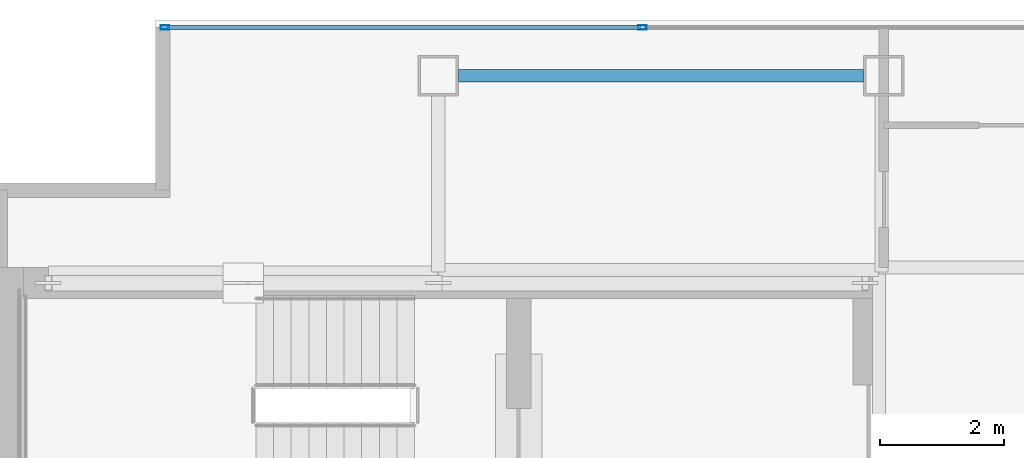
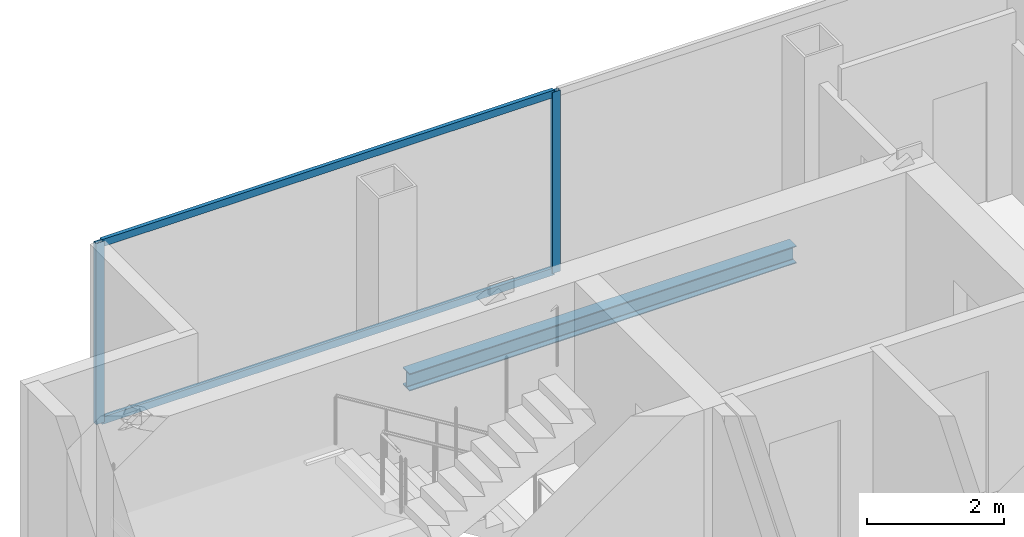
# One storey, part 17 of 23: 4 members, 1 beam, 1 element without a shape of its own.
"""IFC4 building model written with IfcOpenShell, lengths in metres."""

from ifc_helpers import new_model, si_unit, direction, frame, origin, origin_2d, place, context, subcontext, project, spatial, hollow_rectangle, i_section, extrude, material, material_profile, profile_set, type_object, element, aggregate, save


model = new_model("IFC4")

# Units and contexts
model_context = context("Model", 3, precision=1e-05, world=origin(), true_north=direction((0.0, 1.0)))
body_context = subcontext(model_context, "Body", "Model", "MODEL_VIEW")
ifc_project = project(units=[si_unit("LENGTHUNIT", "METRE"), si_unit("AREAUNIT", "SQUARE_METRE"), si_unit("VOLUMEUNIT", "CUBIC_METRE"), si_unit("PLANEANGLEUNIT", "RADIAN"), si_unit("MASSUNIT", "GRAM", prefix="KILO")], contexts=[model_context])

# Site, building, storey
site_placement = place(None, origin())
site = spatial("IfcSite", under=ifc_project, at=site_placement, CompositionType="ELEMENT")
building_placement = place(site_placement, origin())
building = spatial("IfcBuilding", under=site, at=building_placement, Name="Cobrela Telecom Tower", CompositionType="ELEMENT")
storey_placement = place(building_placement, frame((0.0, 0.0, 272.64990234375)))
storey = spatial("IfcBuildingStorey", under=building, at=storey_placement, Name="L71", CompositionType="ELEMENT", Elevation=272.64990234375)

# Beam
ifc_material_1 = material(Name="Steel ASTM A992 Grade 50", Category="steel")
ifc_material_profile_1 = material_profile(ifc_material_1, i_section(OverallWidth=0.205078125, OverallDepth=0.31005859375, WebThickness=0.009521484375, FlangeThickness=0.016357421875, FilletRadius=0.010986328125, at=origin_2d()), Name="W12X50")
ifc_profile_set_1 = profile_set([ifc_material_profile_1], Name="Steel ASTM A992 Grade 50")
beam_type = type_object("IfcBeamType", Name="BM-SPAND-07", PredefinedType="SPANDREL", material=ifc_profile_set_1)
beam_placement = place(storey_placement, frame((7.530029296875, 39.10009765625, -0.414794921875), z_axis=(1.0, 0.0, 0.0), x_axis=(0.0, 1.0, 0.0)))
element("IfcBeam", 1, at=beam_placement, inside=storey, type_object=beam_type, Name="L71 Perimeter Spandrel X19", PredefinedType="SPANDREL", context=body_context, shape_type="SweptSolid", body=[
    extrude(i_section(OverallWidth=0.205078125, OverallDepth=0.31005859375, WebThickness=0.009521484375, FlangeThickness=0.016357421875, FilletRadius=0.010986328125, at=origin_2d()), origin(), (0.0, 0.0, 1.0), 6.5400390625),
])

# Curtain wall, members
ifc_material_2 = material(Name="Anodized Bronze Aluminium 6063-T6", Category="aluminium")
curtain_wall_type = type_object("IfcCurtainWallType", Name="CW-SYS-OFF-HI", PredefinedType="USERDEFINED", material=ifc_material_2)
curtain_wall_placement = place(storey_placement, origin())
curtain_wall = element("IfcCurtainWall", 2, at=curtain_wall_placement, inside=storey, type_object=curtain_wall_type, Name="L71 Unitised Bronze Curtain Wall 05", ObjectType="UNITISED CURTAIN WALL", PredefinedType="USERDEFINED")
ifc_material_profile_2 = material_profile(ifc_material_2, hollow_rectangle(XDim=0.070068359375, YDim=0.139892578125, WallThickness=0.00390625, at=origin_2d()), Name="ALU 70x140x4")
ifc_profile_set_2 = profile_set([ifc_material_profile_2], Name="Anodized Bronze Aluminium 6063-T6")
member_type_1 = type_object("IfcMemberType", Name="CW-SYS-OFF-HI-MUL", PredefinedType="MULLION", material=ifc_profile_set_2)
member_1_placement = place(storey_placement, frame((2.784912109375, 39.8798828125, 0.0), z_axis=(0.0, 0.0, 1.0), x_axis=(0.0, 1.0, 0.0)))
member_1 = element("IfcMember", 3, at=member_1_placement, type_object=member_type_1, Name="CW-OFF-HI mullion 1", PredefinedType="MULLION", context=body_context, shape_type="SweptSolid", body=[
    extrude(hollow_rectangle(XDim=0.070068359375, YDim=0.139892578125, WallThickness=0.00390625, at=origin_2d()), origin(), (0.0, 0.0, 1.0), 3.239990234375),
])
member_2_placement = place(storey_placement, frame((10.5, 39.8798828125, 0.0), z_axis=(0.0, 0.0, 1.0), x_axis=(0.0, 1.0, 0.0)))
member_2 = element("IfcMember", 4, at=member_2_placement, type_object=member_type_1, Name="CW-OFF-HI mullion 2", PredefinedType="MULLION", context=body_context, shape_type="SweptSolid", body=[
    extrude(hollow_rectangle(XDim=0.070068359375, YDim=0.139892578125, WallThickness=0.00390625, at=origin_2d()), origin(), (0.0, 0.0, 1.0), 3.239990234375),
])
ifc_material_profile_3 = material_profile(ifc_material_2, hollow_rectangle(XDim=0.06494140625, YDim=0.1298828125, WallThickness=0.00390625, at=origin_2d()), Name="ALU 65x130x4")
ifc_profile_set_3 = profile_set([ifc_material_profile_3], Name="Anodized Bronze Aluminium 6063-T6")
member_type_2 = type_object("IfcMemberType", Name="CW-SYS-OFF-HI-TRN", PredefinedType="USERDEFINED", material=ifc_profile_set_3)
member_3_placement = place(storey_placement, frame((2.820068359375, 39.8798828125, 0.03271484375), z_axis=(1.0, 0.0, 0.0), x_axis=(0.0, 1.0, 0.0)))
member_3 = element("IfcMember", 5, at=member_3_placement, type_object=member_type_2, Name="CW-OFF-HI transom 1.1", ObjectType="TRANSOM", PredefinedType="USERDEFINED", context=body_context, shape_type="SweptSolid", body=[
    extrude(hollow_rectangle(XDim=0.06494140625, YDim=0.1298828125, WallThickness=0.00390625, at=origin_2d()), origin(), (0.0, 0.0, 1.0), 7.64501953125),
])
member_4_placement = place(storey_placement, frame((2.820068359375, 39.8798828125, 3.20751953125), z_axis=(1.0, 0.0, 0.0), x_axis=(0.0, 1.0, 0.0)))
member_4 = element("IfcMember", 6, at=member_4_placement, type_object=member_type_2, Name="CW-OFF-HI transom 1.2", ObjectType="TRANSOM", PredefinedType="USERDEFINED", context=body_context, shape_type="SweptSolid", body=[
    extrude(hollow_rectangle(XDim=0.06494140625, YDim=0.1298828125, WallThickness=0.00390625, at=origin_2d()), origin(), (0.0, 0.0, 1.0), 7.64501953125),
])
aggregate(curtain_wall, [member_1, member_2, member_3, member_4])

save(model, "model.ifc")
